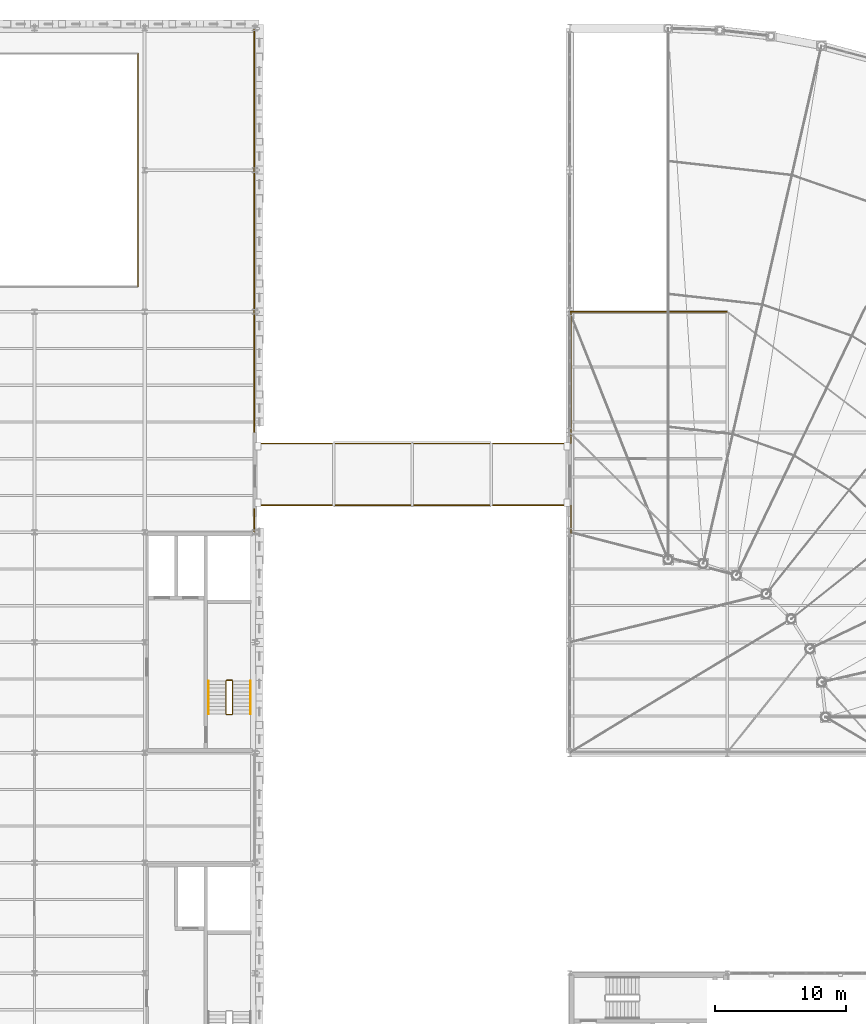
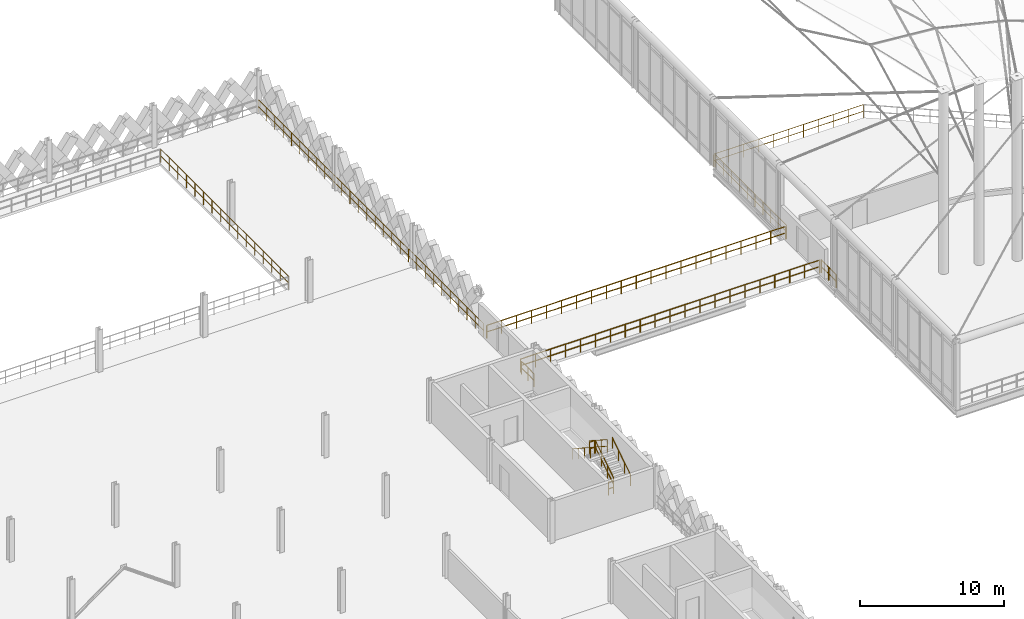
# One storey, part 99 of 101: 14 railings.
"""IFC4 building model written with IfcOpenShell, lengths in metres."""

from ifc_helpers import new_model, si_unit, direction, frame, origin, origin_2d, place, context, subcontext, project, spatial, circle, extrude, material, type_object, element, save


model = new_model("IFC4")

# Units and contexts
model_context = context("Model", 3, precision=1e-05, world=origin(), true_north=direction((0.0, 1.0)))
body_context = subcontext(model_context, "Body", "Model", "MODEL_VIEW")
ifc_project = project(units=[si_unit("LENGTHUNIT", "METRE"), si_unit("AREAUNIT", "SQUARE_METRE"), si_unit("VOLUMEUNIT", "CUBIC_METRE"), si_unit("PLANEANGLEUNIT", "RADIAN"), si_unit("MASSUNIT", "GRAM", prefix="KILO"), si_unit("THERMODYNAMICTEMPERATUREUNIT", "KELVIN"), si_unit("POWERUNIT", "WATT")], contexts=[model_context])

# Site, building, storey
site_placement = place(None, origin())
site = spatial("IfcSite", under=ifc_project, at=site_placement, CompositionType="ELEMENT")
building_placement = place(site_placement, origin())
building = spatial("IfcBuilding", under=site, at=building_placement, Name="Tembeka Court Mobility Hub", CompositionType="ELEMENT")
storey_placement = place(building_placement, frame((0.0, 0.0, 5.39990234375)))
storey = spatial("IfcBuildingStorey", under=building, at=storey_placement, Name="L01", CompositionType="ELEMENT", Elevation=5.39990234375)

# Railings
ifc_material_1 = material(Name="Laminated glass and aluminium balustrade", Category="aluminium")
railing_type_1 = type_object("IfcRailingType", Name="RL-BL01", PredefinedType="BALUSTRADE", material=ifc_material_1)
railing_1_placement = place(storey_placement, frame((128.3701171875, 97.199951171875, 0.0)))
element("IfcRailing", 1, at=railing_1_placement, inside=storey, type_object=railing_type_1, Name="Perimeter guard BL01-0020", PredefinedType="BALUSTRADE", context=body_context, shape_type="SweptSolid", body=[
    extrude(circle(Radius=0.02392578125, at=origin_2d()), frame((0.0, 0.0, 1.09619140625), z_axis=(-1.0, 0.0, 0.0), x_axis=(0.0, -1.0, 0.0)), (0.0, 0.0, 1.0), 11.940185546875),
    extrude(circle(Radius=0.02392578125, at=origin_2d()), frame((0.0, 0.0, 0.5361328125), z_axis=(-1.0, 0.0, 0.0), x_axis=(0.0, -1.0, 0.0)), (0.0, 0.0, 1.0), 11.940185546875),
    extrude(circle(Radius=0.02099609375, at=origin_2d()), origin(), (0.0, 0.0, 1.0), 1.072021484375),
    extrude(circle(Radius=0.02099609375, at=origin_2d()), frame((-1.194091796875, 0.0, 0.0)), (0.0, 0.0, 1.0), 1.072021484375),
    extrude(circle(Radius=0.02099609375, at=origin_2d()), frame((-2.387939453125, 0.0, 0.0)), (0.0, 0.0, 1.0), 1.072021484375),
    extrude(circle(Radius=0.02099609375, at=origin_2d()), frame((-3.58203125, 0.0, 0.0)), (0.0, 0.0, 1.0), 1.072021484375),
    extrude(circle(Radius=0.02099609375, at=origin_2d()), frame((-4.776123046875, 0.0, 0.0)), (0.0, 0.0, 1.0), 1.072021484375),
    extrude(circle(Radius=0.02099609375, at=origin_2d()), frame((-5.97021484375, 0.0, 0.0)), (0.0, 0.0, 1.0), 1.072021484375),
    extrude(circle(Radius=0.02099609375, at=origin_2d()), frame((-7.1640625, 0.0, 0.0)), (0.0, 0.0, 1.0), 1.072021484375),
    extrude(circle(Radius=0.02099609375, at=origin_2d()), frame((-8.358154296875, 0.0, 0.0)), (0.0, 0.0, 1.0), 1.072021484375),
    extrude(circle(Radius=0.02099609375, at=origin_2d()), frame((-9.55224609375, 0.0, 0.0)), (0.0, 0.0, 1.0), 1.072021484375),
    extrude(circle(Radius=0.02099609375, at=origin_2d()), frame((-10.74609375, 0.0, 0.0)), (0.0, 0.0, 1.0), 1.072021484375),
    extrude(circle(Radius=0.02099609375, at=origin_2d()), frame((-11.940185546875, 0.0, 0.0)), (0.0, 0.0, 1.0), 1.072021484375),
])
railing_2_placement = place(storey_placement, frame((92.429931640625, 82.449951171875, 0.0)))
element("IfcRailing", 2, at=railing_2_placement, inside=storey, type_object=railing_type_1, Name="Perimeter guard BL01-0023", PredefinedType="BALUSTRADE", context=body_context, shape_type="SweptSolid", body=[
    extrude(circle(Radius=0.02392578125, at=origin_2d()), frame((0.0, 0.0, 1.09619140625), z_axis=(1.0, 0.0, 0.0), x_axis=(0.0, 1.0, 0.0)), (0.0, 0.0, 1.0), 23.940185546875),
    extrude(circle(Radius=0.02392578125, at=origin_2d()), frame((0.0, 0.0, 0.5361328125), z_axis=(1.0, 0.0, 0.0), x_axis=(0.0, 1.0, 0.0)), (0.0, 0.0, 1.0), 23.940185546875),
    extrude(circle(Radius=0.02099609375, at=origin_2d()), origin(), (0.0, 0.0, 1.0), 1.072021484375),
    extrude(circle(Radius=0.02099609375, at=origin_2d()), frame((1.197021484375, 0.0, 0.0)), (0.0, 0.0, 1.0), 1.072021484375),
    extrude(circle(Radius=0.02099609375, at=origin_2d()), frame((2.39404296875, 0.0, 0.0)), (0.0, 0.0, 1.0), 1.072021484375),
    extrude(circle(Radius=0.02099609375, at=origin_2d()), frame((3.591064453125, 0.0, 0.0)), (0.0, 0.0, 1.0), 1.072021484375),
    extrude(circle(Radius=0.02099609375, at=origin_2d()), frame((4.7880859375, 0.0, 0.0)), (0.0, 0.0, 1.0), 1.072021484375),
    extrude(circle(Radius=0.02099609375, at=origin_2d()), frame((5.985107421875, 0.0, 0.0)), (0.0, 0.0, 1.0), 1.072021484375),
    extrude(circle(Radius=0.02099609375, at=origin_2d()), frame((7.18212890625, 0.0, 0.0)), (0.0, 0.0, 1.0), 1.072021484375),
    extrude(circle(Radius=0.02099609375, at=origin_2d()), frame((8.379150390625, 0.0, 0.0)), (0.0, 0.0, 1.0), 1.072021484375),
    extrude(circle(Radius=0.02099609375, at=origin_2d()), frame((9.576171875, 0.0, 0.0)), (0.0, 0.0, 1.0), 1.072021484375),
    extrude(circle(Radius=0.02099609375, at=origin_2d()), frame((10.773193359375, 0.0, 0.0)), (0.0, 0.0, 1.0), 1.072021484375),
    extrude(circle(Radius=0.02099609375, at=origin_2d()), frame((11.97021484375, 0.0, 0.0)), (0.0, 0.0, 1.0), 1.072021484375),
    extrude(circle(Radius=0.02099609375, at=origin_2d()), frame((13.1669921875, 0.0, 0.0)), (0.0, 0.0, 1.0), 1.072021484375),
    extrude(circle(Radius=0.02099609375, at=origin_2d()), frame((14.364013671875, 0.0, 0.0)), (0.0, 0.0, 1.0), 1.072021484375),
    extrude(circle(Radius=0.02099609375, at=origin_2d()), frame((15.56103515625, 0.0, 0.0)), (0.0, 0.0, 1.0), 1.072021484375),
    extrude(circle(Radius=0.02099609375, at=origin_2d()), frame((16.758056640625, 0.0, 0.0)), (0.0, 0.0, 1.0), 1.072021484375),
    extrude(circle(Radius=0.02099609375, at=origin_2d()), frame((17.955078125, 0.0, 0.0)), (0.0, 0.0, 1.0), 1.072021484375),
    extrude(circle(Radius=0.02099609375, at=origin_2d()), frame((19.152099609375, 0.0, 0.0)), (0.0, 0.0, 1.0), 1.072021484375),
    extrude(circle(Radius=0.02099609375, at=origin_2d()), frame((20.34912109375, 0.0, 0.0)), (0.0, 0.0, 1.0), 1.072021484375),
    extrude(circle(Radius=0.02099609375, at=origin_2d()), frame((21.546142578125, 0.0, 0.0)), (0.0, 0.0, 1.0), 1.072021484375),
    extrude(circle(Radius=0.02099609375, at=origin_2d()), frame((22.7431640625, 0.0, 0.0)), (0.0, 0.0, 1.0), 1.072021484375),
    extrude(circle(Radius=0.02099609375, at=origin_2d()), frame((23.940185546875, 0.0, 0.0)), (0.0, 0.0, 1.0), 1.072021484375),
])
railing_3_placement = place(storey_placement, frame((92.429931640625, 87.14990234375, 0.0)))
element("IfcRailing", 3, at=railing_3_placement, inside=storey, type_object=railing_type_1, Name="Perimeter guard BL01-0024", PredefinedType="BALUSTRADE", context=body_context, shape_type="SweptSolid", body=[
    extrude(circle(Radius=0.02392578125, at=origin_2d()), frame((0.0, 0.0, 1.09619140625), z_axis=(1.0, 0.0, 0.0), x_axis=(0.0, 1.0, 0.0)), (0.0, 0.0, 1.0), 23.940185546875),
    extrude(circle(Radius=0.02392578125, at=origin_2d()), frame((0.0, 0.0, 0.5361328125), z_axis=(1.0, 0.0, 0.0), x_axis=(0.0, 1.0, 0.0)), (0.0, 0.0, 1.0), 23.940185546875),
    extrude(circle(Radius=0.02099609375, at=origin_2d()), origin(), (0.0, 0.0, 1.0), 1.072021484375),
    extrude(circle(Radius=0.02099609375, at=origin_2d()), frame((1.197021484375, 0.0, 0.0)), (0.0, 0.0, 1.0), 1.072021484375),
    extrude(circle(Radius=0.02099609375, at=origin_2d()), frame((2.39404296875, 0.0, 0.0)), (0.0, 0.0, 1.0), 1.072021484375),
    extrude(circle(Radius=0.02099609375, at=origin_2d()), frame((3.591064453125, 0.0, 0.0)), (0.0, 0.0, 1.0), 1.072021484375),
    extrude(circle(Radius=0.02099609375, at=origin_2d()), frame((4.7880859375, 0.0, 0.0)), (0.0, 0.0, 1.0), 1.072021484375),
    extrude(circle(Radius=0.02099609375, at=origin_2d()), frame((5.985107421875, 0.0, 0.0)), (0.0, 0.0, 1.0), 1.072021484375),
    extrude(circle(Radius=0.02099609375, at=origin_2d()), frame((7.18212890625, 0.0, 0.0)), (0.0, 0.0, 1.0), 1.072021484375),
    extrude(circle(Radius=0.02099609375, at=origin_2d()), frame((8.379150390625, 0.0, 0.0)), (0.0, 0.0, 1.0), 1.072021484375),
    extrude(circle(Radius=0.02099609375, at=origin_2d()), frame((9.576171875, 0.0, 0.0)), (0.0, 0.0, 1.0), 1.072021484375),
    extrude(circle(Radius=0.02099609375, at=origin_2d()), frame((10.773193359375, 0.0, 0.0)), (0.0, 0.0, 1.0), 1.072021484375),
    extrude(circle(Radius=0.02099609375, at=origin_2d()), frame((11.97021484375, 0.0, 0.0)), (0.0, 0.0, 1.0), 1.072021484375),
    extrude(circle(Radius=0.02099609375, at=origin_2d()), frame((13.1669921875, 0.0, 0.0)), (0.0, 0.0, 1.0), 1.072021484375),
    extrude(circle(Radius=0.02099609375, at=origin_2d()), frame((14.364013671875, 0.0, 0.0)), (0.0, 0.0, 1.0), 1.072021484375),
    extrude(circle(Radius=0.02099609375, at=origin_2d()), frame((15.56103515625, 0.0, 0.0)), (0.0, 0.0, 1.0), 1.072021484375),
    extrude(circle(Radius=0.02099609375, at=origin_2d()), frame((16.758056640625, 0.0, 0.0)), (0.0, 0.0, 1.0), 1.072021484375),
    extrude(circle(Radius=0.02099609375, at=origin_2d()), frame((17.955078125, 0.0, 0.0)), (0.0, 0.0, 1.0), 1.072021484375),
    extrude(circle(Radius=0.02099609375, at=origin_2d()), frame((19.152099609375, 0.0, 0.0)), (0.0, 0.0, 1.0), 1.072021484375),
    extrude(circle(Radius=0.02099609375, at=origin_2d()), frame((20.34912109375, 0.0, 0.0)), (0.0, 0.0, 1.0), 1.072021484375),
    extrude(circle(Radius=0.02099609375, at=origin_2d()), frame((21.546142578125, 0.0, 0.0)), (0.0, 0.0, 1.0), 1.072021484375),
    extrude(circle(Radius=0.02099609375, at=origin_2d()), frame((22.7431640625, 0.0, 0.0)), (0.0, 0.0, 1.0), 1.072021484375),
    extrude(circle(Radius=0.02099609375, at=origin_2d()), frame((23.940185546875, 0.0, 0.0)), (0.0, 0.0, 1.0), 1.072021484375),
])
railing_4_placement = place(storey_placement, frame((116.47998046875, 80.330078125, 0.0)))
element("IfcRailing", 4, at=railing_4_placement, inside=storey, type_object=railing_type_1, Name="Perimeter guard BL01-0185", PredefinedType="BALUSTRADE", context=body_context, shape_type="SweptSolid", body=[
    extrude(circle(Radius=0.02392578125, at=origin_2d()), frame((0.0, 0.0, 1.09619140625), z_axis=(0.0, 1.0, 0.0), x_axis=(-1.0, 0.0, 0.0)), (0.0, 0.0, 1.0), 2.08984375),
    extrude(circle(Radius=0.02392578125, at=origin_2d()), frame((0.0, 0.0, 0.5361328125), z_axis=(0.0, 1.0, 0.0), x_axis=(-1.0, 0.0, 0.0)), (0.0, 0.0, 1.0), 2.08984375),
    extrude(circle(Radius=0.02099609375, at=origin_2d()), origin(), (0.0, 0.0, 1.0), 1.072021484375),
    extrude(circle(Radius=0.02099609375, at=origin_2d()), frame((0.0, 1.044921875, 0.0)), (0.0, 0.0, 1.0), 1.072021484375),
    extrude(circle(Radius=0.02099609375, at=origin_2d()), frame((0.0, 2.08984375, 0.0)), (0.0, 0.0, 1.0), 1.072021484375),
])
railing_5_placement = place(storey_placement, frame((116.47998046875, 87.179931640625, 0.0)))
element("IfcRailing", 5, at=railing_5_placement, inside=storey, type_object=railing_type_1, Name="Perimeter guard BL01-0186", PredefinedType="BALUSTRADE", context=body_context, shape_type="SweptSolid", body=[
    extrude(circle(Radius=0.02392578125, at=origin_2d()), frame((0.0, 0.0, 1.09619140625), z_axis=(0.0, 1.0, 0.0), x_axis=(-1.0, 0.0, 0.0)), (0.0, 0.0, 1.0), 9.940185546875),
    extrude(circle(Radius=0.02392578125, at=origin_2d()), frame((0.0, 0.0, 0.5361328125), z_axis=(0.0, 1.0, 0.0), x_axis=(-1.0, 0.0, 0.0)), (0.0, 0.0, 1.0), 9.940185546875),
    extrude(circle(Radius=0.02099609375, at=origin_2d()), origin(), (0.0, 0.0, 1.0), 1.072021484375),
    extrude(circle(Radius=0.02099609375, at=origin_2d()), frame((0.0, 1.1044921875, 0.0)), (0.0, 0.0, 1.0), 1.072021484375),
    extrude(circle(Radius=0.02099609375, at=origin_2d()), frame((0.0, 2.208984375, 0.0)), (0.0, 0.0, 1.0), 1.072021484375),
    extrude(circle(Radius=0.02099609375, at=origin_2d()), frame((0.0, 3.3134765625, 0.0)), (0.0, 0.0, 1.0), 1.072021484375),
    extrude(circle(Radius=0.02099609375, at=origin_2d()), frame((0.0, 4.41796875, 0.0)), (0.0, 0.0, 1.0), 1.072021484375),
    extrude(circle(Radius=0.02099609375, at=origin_2d()), frame((0.0, 5.522216796875, 0.0)), (0.0, 0.0, 1.0), 1.072021484375),
    extrude(circle(Radius=0.02099609375, at=origin_2d()), frame((0.0, 6.626708984375, 0.0)), (0.0, 0.0, 1.0), 1.072021484375),
    extrude(circle(Radius=0.02099609375, at=origin_2d()), frame((0.0, 7.731201171875, 0.0)), (0.0, 0.0, 1.0), 1.072021484375),
    extrude(circle(Radius=0.02099609375, at=origin_2d()), frame((0.0, 8.835693359375, 0.0)), (0.0, 0.0, 1.0), 1.072021484375),
    extrude(circle(Radius=0.02099609375, at=origin_2d()), frame((0.0, 9.940185546875, 0.0)), (0.0, 0.0, 1.0), 1.072021484375),
])
ifc_material_2 = material(Name="Painted galvanised steel balustrade", Category="steel")
railing_type_2 = type_object("IfcRailingType", Name="RL-GR01", PredefinedType="GUARDRAIL", material=ifc_material_2)
railing_6_placement = place(storey_placement, frame((83.5, 99.1298828125, 0.0)))
element("IfcRailing", 6, at=railing_6_placement, inside=storey, type_object=railing_type_2, Name="Perimeter guard GR01-0058", PredefinedType="GUARDRAIL", context=body_context, shape_type="SweptSolid", body=[
    extrude(circle(Radius=0.02392578125, at=origin_2d()), frame((0.0, 0.0, 1.09619140625), z_axis=(0.0, 1.0, 0.0), x_axis=(-1.0, 0.0, 0.0)), (0.0, 0.0, 1.0), 17.740234375),
    extrude(circle(Radius=0.02392578125, at=origin_2d()), frame((0.0, 0.0, 0.5361328125), z_axis=(0.0, 1.0, 0.0), x_axis=(-1.0, 0.0, 0.0)), (0.0, 0.0, 1.0), 17.740234375),
    extrude(circle(Radius=0.02099609375, at=origin_2d()), origin(), (0.0, 0.0, 1.0), 1.072021484375),
    extrude(circle(Radius=0.02099609375, at=origin_2d()), frame((0.0, 1.1826171875, 0.0)), (0.0, 0.0, 1.0), 1.072021484375),
    extrude(circle(Radius=0.02099609375, at=origin_2d()), frame((0.0, 2.365478515625, 0.0)), (0.0, 0.0, 1.0), 1.072021484375),
    extrude(circle(Radius=0.02099609375, at=origin_2d()), frame((0.0, 3.548095703125, 0.0)), (0.0, 0.0, 1.0), 1.072021484375),
    extrude(circle(Radius=0.02099609375, at=origin_2d()), frame((0.0, 4.730712890625, 0.0)), (0.0, 0.0, 1.0), 1.072021484375),
    extrude(circle(Radius=0.02099609375, at=origin_2d()), frame((0.0, 5.913330078125, 0.0)), (0.0, 0.0, 1.0), 1.072021484375),
    extrude(circle(Radius=0.02099609375, at=origin_2d()), frame((0.0, 7.09619140625, 0.0)), (0.0, 0.0, 1.0), 1.072021484375),
    extrude(circle(Radius=0.02099609375, at=origin_2d()), frame((0.0, 8.27880859375, 0.0)), (0.0, 0.0, 1.0), 1.072021484375),
    extrude(circle(Radius=0.02099609375, at=origin_2d()), frame((0.0, 9.46142578125, 0.0)), (0.0, 0.0, 1.0), 1.072021484375),
    extrude(circle(Radius=0.02099609375, at=origin_2d()), frame((0.0, 10.64404296875, 0.0)), (0.0, 0.0, 1.0), 1.072021484375),
    extrude(circle(Radius=0.02099609375, at=origin_2d()), frame((0.0, 11.826904296875, 0.0)), (0.0, 0.0, 1.0), 1.072021484375),
    extrude(circle(Radius=0.02099609375, at=origin_2d()), frame((0.0, 13.009521484375, 0.0)), (0.0, 0.0, 1.0), 1.072021484375),
    extrude(circle(Radius=0.02099609375, at=origin_2d()), frame((0.0, 14.192138671875, 0.0)), (0.0, 0.0, 1.0), 1.072021484375),
    extrude(circle(Radius=0.02099609375, at=origin_2d()), frame((0.0, 15.374755859375, 0.0)), (0.0, 0.0, 1.0), 1.072021484375),
    extrude(circle(Radius=0.02099609375, at=origin_2d()), frame((0.0, 16.5576171875, 0.0)), (0.0, 0.0, 1.0), 1.072021484375),
    extrude(circle(Radius=0.02099609375, at=origin_2d()), frame((0.0, 17.740234375, 0.0)), (0.0, 0.0, 1.0), 1.072021484375),
])
railing_7_placement = place(storey_placement, frame((90.699951171875, 66.550048828125, 0.18017578125)))
element("IfcRailing", 7, at=railing_7_placement, inside=storey, type_object=railing_type_2, Name="L01 ST02 stair guard 1-1", PredefinedType="GUARDRAIL", context=body_context, shape_type="SweptSolid", body=[
    extrude(circle(Radius=0.02392578125, at=origin_2d()), frame((0.0, 0.0, 1.09619140625), z_axis=(0.0, 0.841199657755, 0.540724639528), x_axis=(-1.0, 0.0, 0.0)), (0.0, 0.0, 1.0), 2.995849609375),
    extrude(circle(Radius=0.02392578125, at=origin_2d()), frame((0.0, 0.0, 0.5361328125), z_axis=(0.0, 0.841199657755, 0.540724639528), x_axis=(-1.0, 0.0, 0.0)), (0.0, 0.0, 1.0), 2.995849609375),
    extrude(circle(Radius=0.02099609375, at=origin_2d()), origin(), (0.0, 0.0, 1.0), 1.072021484375),
    extrude(circle(Radius=0.02099609375, at=origin_2d()), frame((0.0, 0.840087890625, 0.5400390625)), (0.0, 0.0, 1.0), 1.072021484375),
    extrude(circle(Radius=0.02099609375, at=origin_2d()), frame((0.0, 1.679931640625, 1.079833984375)), (0.0, 0.0, 1.0), 1.072021484375),
    extrude(circle(Radius=0.02099609375, at=origin_2d()), frame((0.0, 2.52001953125, 1.619873046875)), (0.0, 0.0, 1.0), 1.072021484375),
])
railing_8_placement = place(storey_placement, frame((90.64990234375, 69.1201171875, 1.800048828125)))
element("IfcRailing", 8, at=railing_8_placement, inside=storey, type_object=railing_type_2, Name="L01 ST02 stair guard 2-1", PredefinedType="GUARDRAIL", context=body_context, shape_type="SweptSolid", body=[
    extrude(circle(Radius=0.02392578125, at=origin_2d()), frame((0.0, 0.0, 1.09619140625), z_axis=(-1.0, 0.0, 0.0), x_axis=(0.0, -1.0, 0.0)), (0.0, 0.0, 1.0), 0.39990234375),
    extrude(circle(Radius=0.02392578125, at=origin_2d()), frame((0.0, 0.0, 0.5361328125), z_axis=(-1.0, 0.0, 0.0), x_axis=(0.0, -1.0, 0.0)), (0.0, 0.0, 1.0), 0.39990234375),
    extrude(circle(Radius=0.02099609375, at=origin_2d()), origin(), (0.0, 0.0, 1.0), 1.072021484375),
    extrude(circle(Radius=0.02099609375, at=origin_2d()), frame((-0.39990234375, 0.0, 0.0)), (0.0, 0.0, 1.0), 1.072021484375),
])
railing_9_placement = place(storey_placement, frame((90.199951171875, 69.070068359375, 1.97998046875)))
element("IfcRailing", 9, at=railing_9_placement, inside=storey, type_object=railing_type_2, Name="L01 ST02 stair guard 3-1", PredefinedType="GUARDRAIL", context=body_context, shape_type="SweptSolid", body=[
    extrude(circle(Radius=0.02392578125, at=origin_2d()), frame((0.0, 0.0, 1.09619140625), z_axis=(0.0, -0.841162588446, 0.540782303519), x_axis=(1.0, 0.0, 0.0)), (0.0, 0.0, 1.0), 2.995849609375),
    extrude(circle(Radius=0.02392578125, at=origin_2d()), frame((0.0, 0.0, 0.5361328125), z_axis=(0.0, -0.841162588446, 0.540782303519), x_axis=(1.0, 0.0, 0.0)), (0.0, 0.0, 1.0), 2.995849609375),
    extrude(circle(Radius=0.02099609375, at=origin_2d()), origin(), (0.0, 0.0, 1.0), 1.072021484375),
    extrude(circle(Radius=0.02099609375, at=origin_2d()), frame((0.0, -0.840087890625, 0.5400390625)), (0.0, 0.0, 1.0), 1.072021484375),
    extrude(circle(Radius=0.02099609375, at=origin_2d()), frame((0.0, -1.679931640625, 1.080078125)), (0.0, 0.0, 1.0), 1.072021484375),
    extrude(circle(Radius=0.02099609375, at=origin_2d()), frame((0.0, -2.52001953125, 1.6201171875)), (0.0, 0.0, 1.0), 1.072021484375),
])
railing_10_placement = place(storey_placement, frame((90.64990234375, 66.5, 0.0)))
element("IfcRailing", 10, at=railing_10_placement, inside=storey, type_object=railing_type_2, Name="L01 ST02 stair guard 4-1", PredefinedType="GUARDRAIL", context=body_context, shape_type="SweptSolid", body=[
    extrude(circle(Radius=0.02392578125, at=origin_2d()), frame((0.0, 0.0, 1.09619140625), z_axis=(-1.0, 0.0, 0.0), x_axis=(0.0, -1.0, 0.0)), (0.0, 0.0, 1.0), 0.39990234375),
    extrude(circle(Radius=0.02392578125, at=origin_2d()), frame((0.0, 0.0, 0.5361328125), z_axis=(-1.0, 0.0, 0.0), x_axis=(0.0, -1.0, 0.0)), (0.0, 0.0, 1.0), 0.39990234375),
    extrude(circle(Radius=0.02099609375, at=origin_2d()), origin(), (0.0, 0.0, 1.0), 1.072021484375),
    extrude(circle(Radius=0.02099609375, at=origin_2d()), frame((-0.39990234375, 0.0, 0.0)), (0.0, 0.0, 1.0), 1.072021484375),
])
railing_type_3 = type_object("IfcRailingType", Name="RL-GR02", PredefinedType="GUARDRAIL", material=ifc_material_2)
railing_11_placement = place(storey_placement, frame((92.35009765625, 80.429931640625, 0.0)))
element("IfcRailing", 11, at=railing_11_placement, inside=storey, type_object=railing_type_3, Name="Perimeter guard GR02-0069", PredefinedType="GUARDRAIL", context=body_context, shape_type="SweptSolid", body=[
    extrude(circle(Radius=0.02392578125, at=origin_2d()), frame((0.0, 0.0, 1.09619140625), z_axis=(0.0, 1.0, 0.0), x_axis=(-1.0, 0.0, 0.0)), (0.0, 0.0, 1.0), 1.739990234375),
    extrude(circle(Radius=0.02392578125, at=origin_2d()), frame((0.0, 0.0, 0.5361328125), z_axis=(0.0, 1.0, 0.0), x_axis=(-1.0, 0.0, 0.0)), (0.0, 0.0, 1.0), 1.739990234375),
    extrude(circle(Radius=0.02099609375, at=origin_2d()), origin(), (0.0, 0.0, 1.0), 1.072021484375),
    extrude(circle(Radius=0.02099609375, at=origin_2d()), frame((0.0, 0.8701171875, 0.0)), (0.0, 0.0, 1.0), 1.072021484375),
    extrude(circle(Radius=0.02099609375, at=origin_2d()), frame((0.0, 1.739990234375, 0.0)), (0.0, 0.0, 1.0), 1.072021484375),
])
railing_12_placement = place(storey_placement, frame((92.35009765625, 87.429931640625, 0.0)))
element("IfcRailing", 12, at=railing_12_placement, inside=storey, type_object=railing_type_3, Name="Perimeter guard GR02-0070", PredefinedType="GUARDRAIL", context=body_context, shape_type="SweptSolid", body=[
    extrude(circle(Radius=0.02392578125, at=origin_2d()), frame((0.0, 0.0, 1.09619140625), z_axis=(0.0, 1.0, 0.0), x_axis=(-1.0, 0.0, 0.0)), (0.0, 0.0, 1.0), 31.2900390625),
    extrude(circle(Radius=0.02392578125, at=origin_2d()), frame((0.0, 0.0, 0.5361328125), z_axis=(0.0, 1.0, 0.0), x_axis=(-1.0, 0.0, 0.0)), (0.0, 0.0, 1.0), 31.2900390625),
    extrude(circle(Radius=0.02099609375, at=origin_2d()), origin(), (0.0, 0.0, 1.0), 1.072021484375),
    extrude(circle(Radius=0.02099609375, at=origin_2d()), frame((0.0, 1.158935546875, 0.0)), (0.0, 0.0, 1.0), 1.072021484375),
    extrude(circle(Radius=0.02099609375, at=origin_2d()), frame((0.0, 2.31787109375, 0.0)), (0.0, 0.0, 1.0), 1.072021484375),
    extrude(circle(Radius=0.02099609375, at=origin_2d()), frame((0.0, 3.4765625, 0.0)), (0.0, 0.0, 1.0), 1.072021484375),
    extrude(circle(Radius=0.02099609375, at=origin_2d()), frame((0.0, 4.635498046875, 0.0)), (0.0, 0.0, 1.0), 1.072021484375),
    extrude(circle(Radius=0.02099609375, at=origin_2d()), frame((0.0, 5.79443359375, 0.0)), (0.0, 0.0, 1.0), 1.072021484375),
    extrude(circle(Radius=0.02099609375, at=origin_2d()), frame((0.0, 6.953369140625, 0.0)), (0.0, 0.0, 1.0), 1.072021484375),
    extrude(circle(Radius=0.02099609375, at=origin_2d()), frame((0.0, 8.1123046875, 0.0)), (0.0, 0.0, 1.0), 1.072021484375),
    extrude(circle(Radius=0.02099609375, at=origin_2d()), frame((0.0, 9.271240234375, 0.0)), (0.0, 0.0, 1.0), 1.072021484375),
    extrude(circle(Radius=0.02099609375, at=origin_2d()), frame((0.0, 10.429931640625, 0.0)), (0.0, 0.0, 1.0), 1.072021484375),
    extrude(circle(Radius=0.02099609375, at=origin_2d()), frame((0.0, 11.5888671875, 0.0)), (0.0, 0.0, 1.0), 1.072021484375),
    extrude(circle(Radius=0.02099609375, at=origin_2d()), frame((0.0, 12.747802734375, 0.0)), (0.0, 0.0, 1.0), 1.072021484375),
    extrude(circle(Radius=0.02099609375, at=origin_2d()), frame((0.0, 13.90673828125, 0.0)), (0.0, 0.0, 1.0), 1.072021484375),
    extrude(circle(Radius=0.02099609375, at=origin_2d()), frame((0.0, 15.065673828125, 0.0)), (0.0, 0.0, 1.0), 1.072021484375),
    extrude(circle(Radius=0.02099609375, at=origin_2d()), frame((0.0, 16.224365234375, 0.0)), (0.0, 0.0, 1.0), 1.072021484375),
    extrude(circle(Radius=0.02099609375, at=origin_2d()), frame((0.0, 17.38330078125, 0.0)), (0.0, 0.0, 1.0), 1.072021484375),
    extrude(circle(Radius=0.02099609375, at=origin_2d()), frame((0.0, 18.542236328125, 0.0)), (0.0, 0.0, 1.0), 1.072021484375),
    extrude(circle(Radius=0.02099609375, at=origin_2d()), frame((0.0, 19.701171875, 0.0)), (0.0, 0.0, 1.0), 1.072021484375),
    extrude(circle(Radius=0.02099609375, at=origin_2d()), frame((0.0, 20.860107421875, 0.0)), (0.0, 0.0, 1.0), 1.072021484375),
    extrude(circle(Radius=0.02099609375, at=origin_2d()), frame((0.0, 22.018798828125, 0.0)), (0.0, 0.0, 1.0), 1.072021484375),
    extrude(circle(Radius=0.02099609375, at=origin_2d()), frame((0.0, 23.177734375, 0.0)), (0.0, 0.0, 1.0), 1.072021484375),
    extrude(circle(Radius=0.02099609375, at=origin_2d()), frame((0.0, 24.336669921875, 0.0)), (0.0, 0.0, 1.0), 1.072021484375),
    extrude(circle(Radius=0.02099609375, at=origin_2d()), frame((0.0, 25.49560546875, 0.0)), (0.0, 0.0, 1.0), 1.072021484375),
    extrude(circle(Radius=0.02099609375, at=origin_2d()), frame((0.0, 26.654541015625, 0.0)), (0.0, 0.0, 1.0), 1.072021484375),
    extrude(circle(Radius=0.02099609375, at=origin_2d()), frame((0.0, 27.8134765625, 0.0)), (0.0, 0.0, 1.0), 1.072021484375),
    extrude(circle(Radius=0.02099609375, at=origin_2d()), frame((0.0, 28.97216796875, 0.0)), (0.0, 0.0, 1.0), 1.072021484375),
    extrude(circle(Radius=0.02099609375, at=origin_2d()), frame((0.0, 30.131103515625, 0.0)), (0.0, 0.0, 1.0), 1.072021484375),
    extrude(circle(Radius=0.02099609375, at=origin_2d()), frame((0.0, 31.2900390625, 0.0)), (0.0, 0.0, 1.0), 1.072021484375),
])
ifc_material_3 = material(Name="Brushed stainless steel handrail", Category="steel")
railing_type_4 = type_object("IfcRailingType", Name="RL-HR01", PredefinedType="HANDRAIL", material=ifc_material_3)
railing_13_placement = place(storey_placement, frame((92.050048828125, 66.550048828125, 0.18017578125)))
element("IfcRailing", 13, at=railing_13_placement, inside=storey, type_object=railing_type_4, Name="L01 ST02 handrail 1-1", PredefinedType="HANDRAIL", context=body_context, shape_type="SweptSolid", body=[
    extrude(circle(Radius=0.02392578125, at=origin_2d()), frame((0.0, 0.0, 0.89599609375), z_axis=(0.0, 0.841199657755, 0.540724639528), x_axis=(-1.0, 0.0, 0.0)), (0.0, 0.0, 1.0), 2.995849609375),
    extrude(circle(Radius=0.02099609375, at=origin_2d()), origin(), (0.0, 0.0, 1.0), 0.871826171875),
    extrude(circle(Radius=0.02099609375, at=origin_2d()), frame((0.0, 0.840087890625, 0.5400390625)), (0.0, 0.0, 1.0), 0.871826171875),
    extrude(circle(Radius=0.02099609375, at=origin_2d()), frame((0.0, 1.679931640625, 1.079833984375)), (0.0, 0.0, 1.0), 0.871826171875),
    extrude(circle(Radius=0.02099609375, at=origin_2d()), frame((0.0, 2.52001953125, 1.619873046875)), (0.0, 0.0, 1.0), 0.871826171875),
])
railing_14_placement = place(storey_placement, frame((88.85009765625, 69.070068359375, 1.97998046875)))
element("IfcRailing", 14, at=railing_14_placement, inside=storey, type_object=railing_type_4, Name="L01 ST02 handrail 2-1", PredefinedType="HANDRAIL", context=body_context, shape_type="SweptSolid", body=[
    extrude(circle(Radius=0.02392578125, at=origin_2d()), frame((0.0, 0.0, 0.89599609375), z_axis=(0.0, -0.841162588446, 0.540782303519), x_axis=(1.0, 0.0, 0.0)), (0.0, 0.0, 1.0), 2.995849609375),
    extrude(circle(Radius=0.02099609375, at=origin_2d()), origin(), (0.0, 0.0, 1.0), 0.871826171875),
    extrude(circle(Radius=0.02099609375, at=origin_2d()), frame((0.0, -0.840087890625, 0.5400390625)), (0.0, 0.0, 1.0), 0.871826171875),
    extrude(circle(Radius=0.02099609375, at=origin_2d()), frame((0.0, -1.679931640625, 1.080078125)), (0.0, 0.0, 1.0), 0.871826171875),
    extrude(circle(Radius=0.02099609375, at=origin_2d()), frame((0.0, -2.52001953125, 1.6201171875)), (0.0, 0.0, 1.0), 0.871826171875),
])

save(model, "model.ifc")
